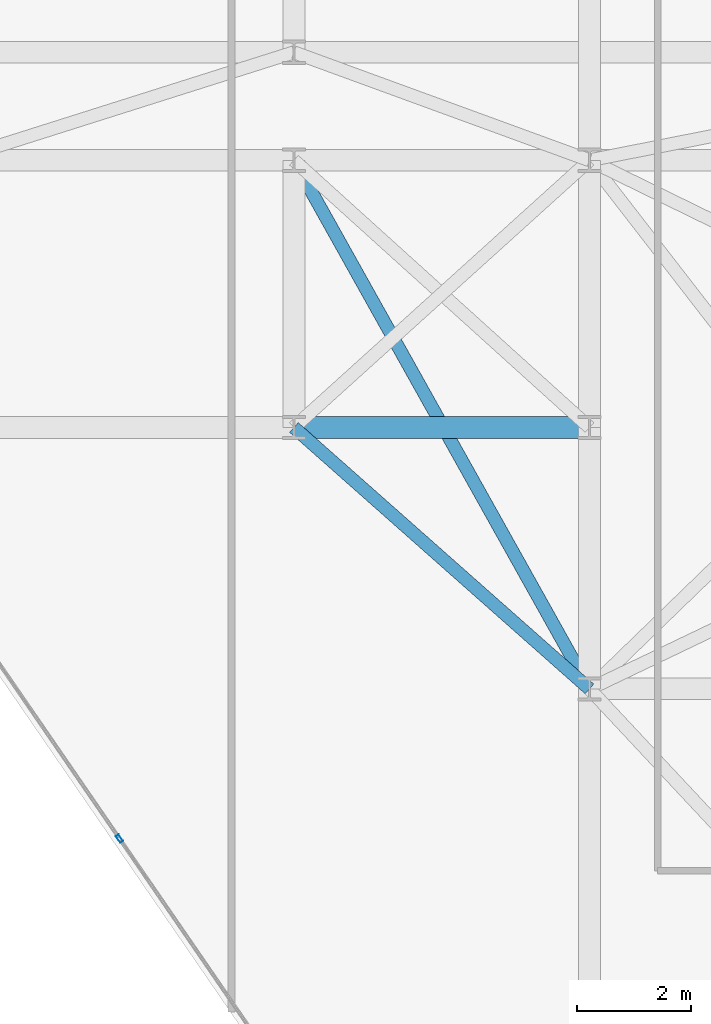
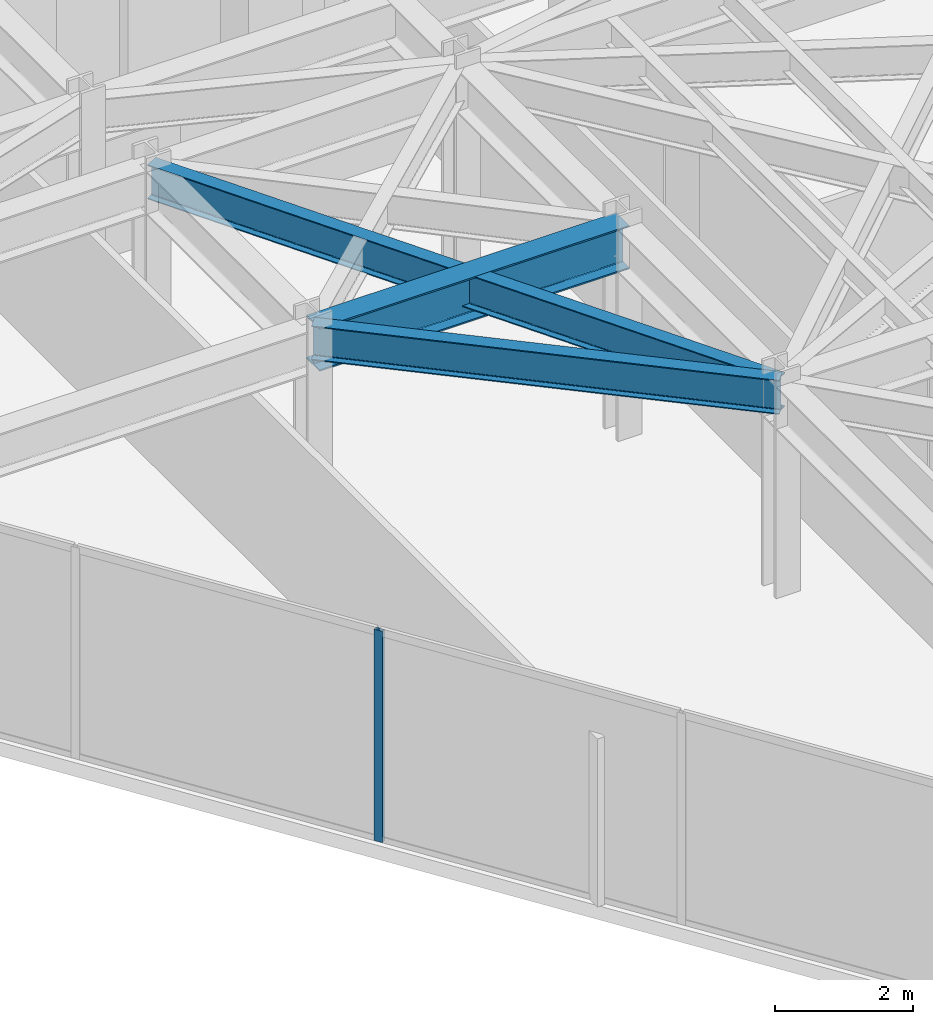
# One storey, part 12 of 21: 3 beams, 1 member, 1 element without a shape of its own.
"""IFC4 building model written with IfcOpenShell, lengths in metres."""

from ifc_helpers import new_model, si_unit, direction, frame, origin, origin_2d, place, context, subcontext, project, spatial, hollow_rectangle, i_section, extrude, material, layer, layer_set, material_profile, profile_set, type_object, element, aggregate, save


model = new_model("IFC4")

# Units and contexts
model_context = context("Model", 3, precision=1e-05, world=origin(), true_north=direction((0.0, 1.0)))
body_context = subcontext(model_context, "Body", "Model", "MODEL_VIEW")
ifc_project = project(units=[si_unit("LENGTHUNIT", "METRE"), si_unit("AREAUNIT", "SQUARE_METRE"), si_unit("VOLUMEUNIT", "CUBIC_METRE"), si_unit("PLANEANGLEUNIT", "RADIAN"), si_unit("MASSUNIT", "GRAM", prefix="KILO")], contexts=[model_context])

# Site, building, storey
site_placement = place(None, origin())
site = spatial("IfcSite", under=ifc_project, at=site_placement, CompositionType="ELEMENT")
building_placement = place(site_placement, origin())
building = spatial("IfcBuilding", under=site, at=building_placement, Name="Kravanh Interchange Tower", CompositionType="ELEMENT")
storey_placement = place(building_placement, frame((0.0, 0.0, 184.5)))
storey = spatial("IfcBuildingStorey", under=building, at=storey_placement, Name="L44", CompositionType="ELEMENT", Elevation=184.5)

# Curtain wall, member
ifc_material_1 = material(Name="Anodised Bronze Aluminium", Category="aluminium")
ifc_layer = layer(ifc_material_1, 0.179931640625)
ifc_layer_set = layer_set([ifc_layer], Name="Unitised Curtain Wall System CW-Z3 Upper Office")
curtain_wall_type = type_object("IfcCurtainWallType", Name="Unitised Curtain Wall System CW-Z3 Upper Office", PredefinedType="NOTDEFINED", material=ifc_layer_set)
curtain_wall_placement = place(storey_placement, origin())
curtain_wall = element("IfcCurtainWall", 1, at=curtain_wall_placement, inside=storey, type_object=curtain_wall_type, Name="L44 Unitised Curtain Wall CW-L44-03", PredefinedType="NOTDEFINED")
ifc_material_2 = material(Name="Anodised Bronze Aluminium", Category="aluminium")
ifc_material_profile_1 = material_profile(ifc_material_2, hollow_rectangle(XDim=0.06005859375, YDim=0.139892578125, WallThickness=0.00390625, at=origin_2d()), Name="ALU60X140X4")
ifc_profile_set_1 = profile_set([ifc_material_profile_1], Name="Anodised Bronze Aluminium")
member_type = type_object("IfcMemberType", Name="Curtain Wall Mullion ALU60X140X4 Bronze", PredefinedType="MULLION", material=ifc_profile_set_1)
member_placement = place(storey_placement, frame((47.7314453125, 19.56591796875, 0.0), z_axis=(0.0, 0.0, 1.0), x_axis=(-0.824042223035, -0.566528388217, 0.0)))
member = element("IfcMember", 2, at=member_placement, type_object=member_type, Name="CW-Z3 mullion 3", PredefinedType="MULLION", context=body_context, shape_type="SweptSolid", body=[
    extrude(hollow_rectangle(XDim=0.06005859375, YDim=0.139892578125, WallThickness=0.00390625, at=origin_2d()), origin(), (0.0, 0.0, 1.0), 3.7548828125),
])
aggregate(curtain_wall, [member])

# Beams
ifc_material_3 = material(Name="Structural Steel S355", Category="steel")
ifc_material_profile_2 = material_profile(ifc_material_3, i_section(OverallWidth=0.381103515625, OverallDepth=0.77294921875, WebThickness=0.0166015625, FlangeThickness=0.027099609375, FilletRadius=0.02490234375, at=origin_2d()), Name="W30X173")
ifc_profile_set_2 = profile_set([ifc_material_profile_2], Name="Structural Steel S355")
beam_type_1 = type_object("IfcBeamType", Name="Floor Beam W30X173 Structural Steel S355", PredefinedType="BEAM", material=ifc_profile_set_2)
beam_1_placement = place(storey_placement, frame((50.800048828125, 26.800048828125, 3.368408203125), z_axis=(1.0, 0.0, 0.0), x_axis=(0.0, 1.0, 0.0)))
element("IfcBeam", 3, at=beam_1_placement, inside=storey, type_object=beam_type_1, Name="L44 Primary Floor Girder 50", PredefinedType="BEAM", context=body_context, shape_type="SweptSolid", body=[
    extrude(i_section(OverallWidth=0.381103515625, OverallDepth=0.77294921875, WebThickness=0.0166015625, FlangeThickness=0.027099609375, FilletRadius=0.02490234375, at=origin_2d()), origin(), (0.0, 0.0, 1.0), 5.199951171875),
])
ifc_material_4 = material(Name="Structural Steel S355", Category="steel")
ifc_material_profile_3 = material_profile(ifc_material_4, i_section(OverallWidth=0.22802734375, OverallDepth=0.60791015625, WebThickness=0.01123046875, FlangeThickness=0.017333984375, FilletRadius=0.02197265625, at=origin_2d()), Name="W24X76")
ifc_profile_set_3 = profile_set([ifc_material_profile_3], Name="Structural Steel S355")
beam_type_2 = type_object("IfcBeamType", Name="Floor Spandrel W24X76 Structural Steel S355", PredefinedType="SPANDREL", material=ifc_profile_set_3)
beam_2_placement = place(storey_placement, frame((50.800048828125, 26.800048828125, 3.450927734375), z_axis=(0.74898649432, -0.662585263439, 0.0), x_axis=(0.662585263439, 0.74898649432, 0.0)))
element("IfcBeam", 4, at=beam_2_placement, inside=storey, type_object=beam_type_2, Name="L44 Perimeter Spandrel 51", PredefinedType="SPANDREL", context=body_context, shape_type="SweptSolid", body=[
    extrude(i_section(OverallWidth=0.22802734375, OverallDepth=0.60791015625, WebThickness=0.01123046875, FlangeThickness=0.017333984375, FilletRadius=0.02197265625, at=origin_2d()), origin(), (0.0, 0.0, 1.0), 6.942626953125),
])
beam_3_placement = place(storey_placement, frame((50.800048828125, 31.5, 3.450927734375), z_axis=(0.488026248114, -0.872828952975, 0.0), x_axis=(0.872828952975, 0.488026248114, 0.0)))
element("IfcBeam", 5, at=beam_3_placement, inside=storey, type_object=beam_type_2, Name="L44 Perimeter Spandrel 78", PredefinedType="SPANDREL", context=body_context, shape_type="SweptSolid", body=[
    extrude(i_section(OverallWidth=0.22802734375, OverallDepth=0.60791015625, WebThickness=0.01123046875, FlangeThickness=0.017333984375, FilletRadius=0.02197265625, at=origin_2d()), origin(), (0.0, 0.0, 1.0), 10.655029296875),
])

save(model, "model.ifc")
